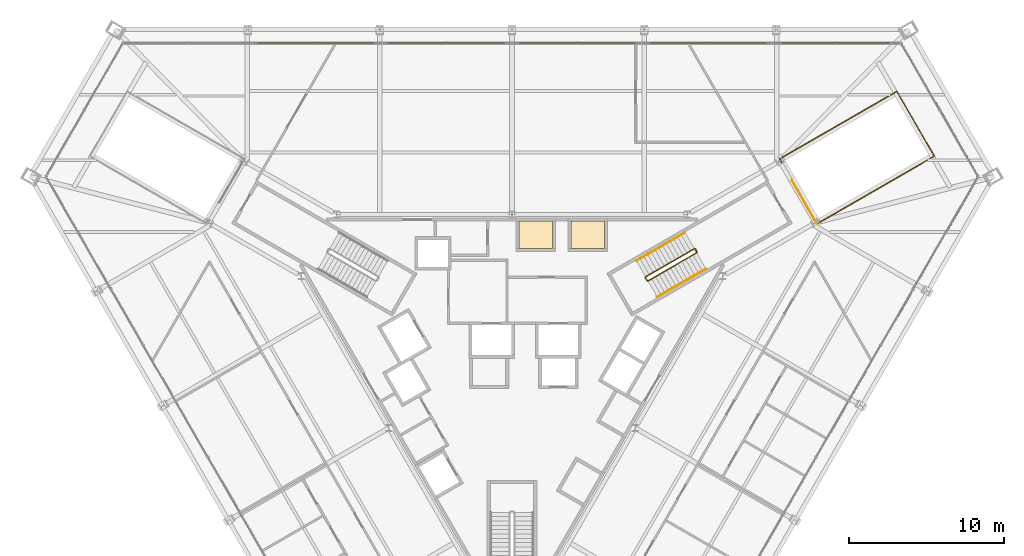
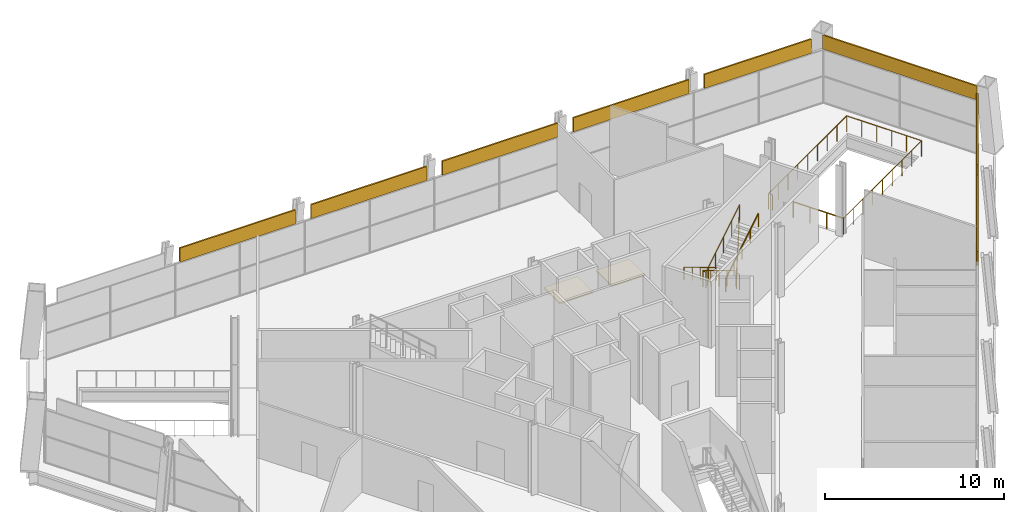
# One storey, part 18 of 18: 10 coverings, 5 railings.
"""IFC4 building model written with IfcOpenShell, lengths in metres."""

from ifc_helpers import new_model, si_unit, direction, frame, origin, origin_2d, place, context, subcontext, project, spatial, polyline, rectangle, circle, outline, extrude, material, layer, layer_set, type_object, element, save


model = new_model("IFC4")

# Units and contexts
model_context = context("Model", 3, precision=1e-05, world=origin(), true_north=direction((0.0, 1.0)))
body_context = subcontext(model_context, "Body", "Model", "MODEL_VIEW")
ifc_project = project(units=[si_unit("LENGTHUNIT", "METRE"), si_unit("AREAUNIT", "SQUARE_METRE"), si_unit("VOLUMEUNIT", "CUBIC_METRE"), si_unit("PLANEANGLEUNIT", "RADIAN"), si_unit("MASSUNIT", "GRAM", prefix="KILO")], contexts=[model_context])

# Site, building, storey
site_placement = place(None, origin())
site = spatial("IfcSite", under=ifc_project, at=site_placement, CompositionType="ELEMENT")
building_placement = place(site_placement, origin())
building = spatial("IfcBuilding", under=site, at=building_placement, Name="Verrane Prism Tower", CompositionType="ELEMENT")
storey_placement = place(building_placement, frame((0.0, 0.0, 32.0)))
storey = spatial("IfcBuildingStorey", under=building, at=storey_placement, Name="L05", CompositionType="ELEMENT", Elevation=32.0)

# Coverings
ifc_material_1 = material(Name="Limestone cladding", Category="masonry")
ifc_layer_1 = layer(ifc_material_1, 0.10009765625)
ifc_layer_set_1 = layer_set([ifc_layer_1], Name="FA-100 stone fascia panel")
covering_type_1 = type_object("IfcCoveringType", Name="FA-100 stone fascia panel", PredefinedType="CLADDING", material=ifc_layer_set_1)
covering_1_placement = place(storey_placement, frame((27.63818359375, 15.956787109375, 3.68994140625), z_axis=(0.0, 0.0, 1.0), x_axis=(-0.499999190728, 0.866025871017, 0.0)))
element("IfcCovering", 1, at=covering_1_placement, inside=storey, type_object=covering_type_1, Name="Stone fascia L05 1.1", PredefinedType="CLADDING", context=body_context, shape_type="SweptSolid", body=[
    extrude(rectangle(XDim=9.960693359375, YDim=0.10009765625, at=origin_2d()), origin(), (0.0, 0.0, 1.0), 0.949951171875),
])
covering_2_placement = place(storey_placement, frame((20.908203125, 20.27001953125, 3.68994140625), z_axis=(0.0, 0.0, 1.0), x_axis=(-1.0, 0.0, 0.0)))
element("IfcCovering", 2, at=covering_2_placement, inside=storey, type_object=covering_type_1, Name="Stone fascia L05 2.1", PredefinedType="CLADDING", context=body_context, shape_type="SweptSolid", body=[
    extrude(rectangle(XDim=6.93115234375, YDim=0.10009765625, at=origin_2d()), origin(), (0.0, 0.0, 1.0), 0.949951171875),
])
covering_3_placement = place(storey_placement, frame((12.707275390625, 20.27001953125, 3.68994140625), z_axis=(0.0, 0.0, 1.0), x_axis=(-1.0, 0.0, 0.0)))
element("IfcCovering", 3, at=covering_3_placement, inside=storey, type_object=covering_type_1, Name="Stone fascia L05 2.2", PredefinedType="CLADDING", context=body_context, shape_type="SweptSolid", body=[
    extrude(rectangle(XDim=7.470458984375, YDim=0.10009765625, at=origin_2d()), origin(), (0.0, 0.0, 1.0), 0.949951171875),
])
for number, where, z_axis, x_axis, name in (
    (4, (4.236083984375, 20.27001953125, 3.68994140625), (0.0, 0.0, 1.0), (-1.0, 0.0, 0.0), "Stone fascia L05 2.3"),
    (5, (-4.236083984375, 20.27001953125, 3.68994140625), (0.0, 0.0, 1.0), (-1.0, 0.0, 0.0), "Stone fascia L05 2.4"),
):
    element("IfcCovering", number, at=place(storey_placement, frame(where, z_axis=z_axis, x_axis=x_axis)), inside=storey, type_object=covering_type_1, Name=name, PredefinedType="CLADDING", context=body_context, shape_type="SweptSolid", body=[
        extrude(rectangle(XDim=7.47216796875, YDim=0.10009765625, at=origin_2d()), origin(), (0.0, 0.0, 1.0), 0.949951171875),
    ])
covering_4_placement = place(storey_placement, frame((-12.707275390625, 20.27001953125, 3.68994140625), z_axis=(0.0, 0.0, 1.0), x_axis=(-1.0, 0.0, 0.0)))
element("IfcCovering", 6, at=covering_4_placement, inside=storey, type_object=covering_type_1, Name="Stone fascia L05 2.5", PredefinedType="CLADDING", context=body_context, shape_type="SweptSolid", body=[
    extrude(rectangle(XDim=7.470458984375, YDim=0.10009765625, at=origin_2d()), origin(), (0.0, 0.0, 1.0), 0.949951171875),
])
covering_5_placement = place(storey_placement, frame((23.908203125, 0.870361328125, 3.68994140625), z_axis=(0.0, 0.0, 1.0), x_axis=(0.500000118955, 0.866025335106, 0.0)))
element("IfcCovering", 7, at=covering_5_placement, inside=storey, type_object=covering_type_1, Name="Stone fascia L05 6.5", PredefinedType="CLADDING", context=body_context, shape_type="SweptSolid", body=[
    extrude(rectangle(XDim=7.473876953125, YDim=0.10009765625, at=origin_2d()), origin(), (0.0, 0.0, 1.0), 0.949951171875),
])
covering_6_placement = place(storey_placement, frame((28.010498046875, 7.975341796875, 3.68994140625), z_axis=(0.0, 0.0, 1.0), x_axis=(0.500000118955, 0.866025335106, 0.0)))
element("IfcCovering", 8, at=covering_6_placement, inside=storey, type_object=covering_type_1, Name="Stone fascia L05 6.6", PredefinedType="CLADDING", context=body_context, shape_type="SweptSolid", body=[
    extrude(rectangle(XDim=6.934326171875, YDim=0.10009765625, at=origin_2d()), origin(), (0.0, 0.0, 1.0), 0.949951171875),
])

# Railings
ifc_material_2 = material(Name="Stainless steel and laminated glass", Category="steel")
railing_type_1 = type_object("IfcRailingType", Name="GR-1100 glass and steel guard", PredefinedType="GUARDRAIL", material=ifc_material_2)
railing_1_placement = place(storey_placement, frame((19.717041015625, 8.589111328125, 0.0)))
element("IfcRailing", 9, at=railing_1_placement, inside=storey, type_object=railing_type_1, Name="Guard EW1 L05 1", PredefinedType="GUARDRAIL", context=body_context, shape_type="SweptSolid", body=[
    extrude(circle(Radius=0.02392578125, at=origin_2d()), frame((0.0, 0.0, 1.076171875), z_axis=(0.866022959057, 0.500004234368, 0.0), x_axis=(-0.500004234368, 0.866022959057, 0.0)), (0.0, 0.0, 1.0), 8.75),
    extrude(circle(Radius=0.02392578125, at=origin_2d()), frame((7.57763671875, 4.375, 1.076171875), z_axis=(-0.499980071345, 0.866036909293, 0.0), x_axis=(-0.866036909293, -0.499980071345, 0.0)), (0.0, 0.0, 1.0), 4.840087890625),
    extrude(circle(Radius=0.02392578125, at=origin_2d()), frame((5.15771484375, 8.566650390625, 1.076171875), z_axis=(-0.866029934428, -0.499992152613, 0.0), x_axis=(0.499992152613, -0.866029934428, 0.0)), (0.0, 0.0, 1.0), 8.750244140625),
    extrude(circle(Radius=0.02392578125, at=origin_2d()), frame((-2.420166015625, 4.191650390625, 1.076171875), z_axis=(0.499919672301, -0.866071776036, 0.0), x_axis=(0.866071776036, 0.499919672301, 0.0)), (0.0, 0.0, 1.0), 0.25),
    extrude(circle(Radius=0.02099609375, at=origin_2d()), origin(), (0.0, 0.0, 1.0), 1.052001953125),
    extrude(circle(Radius=0.02099609375, at=origin_2d()), frame((0.947265625, 0.546875, 0.0)), (0.0, 0.0, 1.0), 1.052001953125),
    extrude(circle(Radius=0.02099609375, at=origin_2d()), frame((1.89453125, 1.09375, 0.0)), (0.0, 0.0, 1.0), 1.052001953125),
    extrude(circle(Radius=0.02099609375, at=origin_2d()), frame((2.841552734375, 1.640625, 0.0)), (0.0, 0.0, 1.0), 1.052001953125),
    extrude(circle(Radius=0.02099609375, at=origin_2d()), frame((3.788818359375, 2.1875, 0.0)), (0.0, 0.0, 1.0), 1.052001953125),
    extrude(circle(Radius=0.02099609375, at=origin_2d()), frame((4.736083984375, 2.734375, 0.0)), (0.0, 0.0, 1.0), 1.052001953125),
    extrude(circle(Radius=0.02099609375, at=origin_2d()), frame((5.68310546875, 3.28125, 0.0)), (0.0, 0.0, 1.0), 1.052001953125),
    extrude(circle(Radius=0.02099609375, at=origin_2d()), frame((6.63037109375, 3.828125, 0.0)), (0.0, 0.0, 1.0), 1.052001953125),
    extrude(circle(Radius=0.02099609375, at=origin_2d()), frame((7.57763671875, 4.375, 0.0)), (0.0, 0.0, 1.0), 1.052001953125),
    extrude(circle(Radius=0.02099609375, at=origin_2d()), frame((7.09375, 5.21337890625, 0.0)), (0.0, 0.0, 1.0), 1.052001953125),
    extrude(circle(Radius=0.02099609375, at=origin_2d()), frame((6.609619140625, 6.0517578125, 0.0)), (0.0, 0.0, 1.0), 1.052001953125),
    extrude(circle(Radius=0.02099609375, at=origin_2d()), frame((6.125732421875, 6.889892578125, 0.0)), (0.0, 0.0, 1.0), 1.052001953125),
    extrude(circle(Radius=0.02099609375, at=origin_2d()), frame((5.6416015625, 7.728271484375, 0.0)), (0.0, 0.0, 1.0), 1.052001953125),
    extrude(circle(Radius=0.02099609375, at=origin_2d()), frame((5.15771484375, 8.566650390625, 0.0)), (0.0, 0.0, 1.0), 1.052001953125),
    extrude(circle(Radius=0.02099609375, at=origin_2d()), frame((4.21044921875, 8.019775390625, 0.0)), (0.0, 0.0, 1.0), 1.052001953125),
    extrude(circle(Radius=0.02099609375, at=origin_2d()), frame((3.26318359375, 7.472900390625, 0.0)), (0.0, 0.0, 1.0), 1.052001953125),
    extrude(circle(Radius=0.02099609375, at=origin_2d()), frame((2.31591796875, 6.926025390625, 0.0)), (0.0, 0.0, 1.0), 1.052001953125),
    extrude(circle(Radius=0.02099609375, at=origin_2d()), frame((1.36865234375, 6.379150390625, 0.0)), (0.0, 0.0, 1.0), 1.052001953125),
    extrude(circle(Radius=0.02099609375, at=origin_2d()), frame((0.421630859375, 5.832275390625, 0.0)), (0.0, 0.0, 1.0), 1.052001953125),
    extrude(circle(Radius=0.02099609375, at=origin_2d()), frame((-0.525634765625, 5.285400390625, 0.0)), (0.0, 0.0, 1.0), 1.052001953125),
    extrude(circle(Radius=0.02099609375, at=origin_2d()), frame((-1.472900390625, 4.738525390625, 0.0)), (0.0, 0.0, 1.0), 1.052001953125),
    extrude(circle(Radius=0.02099609375, at=origin_2d()), frame((-2.420166015625, 4.191650390625, 0.0)), (0.0, 0.0, 1.0), 1.052001953125),
    extrude(circle(Radius=0.02099609375, at=origin_2d()), frame((-2.295166015625, 3.97509765625, 0.0)), (0.0, 0.0, 1.0), 1.052001953125),
])
railing_2_placement = place(storey_placement, frame((18.092041015625, 11.40380859375, 0.0)))
element("IfcRailing", 10, at=railing_2_placement, inside=storey, type_object=railing_type_1, Name="Guard EW1 L05 2", PredefinedType="GUARDRAIL", context=body_context, shape_type="SweptSolid", body=[
    extrude(circle(Radius=0.02392578125, at=origin_2d()), frame((0.0, 0.0, 1.076171875), z_axis=(0.499984717929, -0.866034226713, 0.0), x_axis=(0.866034226713, 0.499984717929, 0.0)), (0.0, 0.0, 1.0), 3.25),
    extrude(circle(Radius=0.02099609375, at=origin_2d()), origin(), (0.0, 0.0, 1.0), 1.052001953125),
    extrude(circle(Radius=0.02099609375, at=origin_2d()), frame((0.541748046875, -0.938232421875, 0.0)), (0.0, 0.0, 1.0), 1.052001953125),
    extrude(circle(Radius=0.02099609375, at=origin_2d()), frame((1.083251953125, -1.87646484375, 0.0)), (0.0, 0.0, 1.0), 1.052001953125),
    extrude(circle(Radius=0.02099609375, at=origin_2d()), frame((1.625, -2.814697265625, 0.0)), (0.0, 0.0, 1.0), 1.052001953125),
])

# Coverings
ifc_material_3 = material(Name="Concrete C40/50", Category="concrete")
ifc_layer_2 = layer(ifc_material_3, 0.10009765625)
ifc_layer_set_2 = layer_set([ifc_layer_2], Name="Lift pit floor 100 concrete C40/50")
covering_type_2 = type_object("IfcCoveringType", Name="Lift pit floor 100 concrete C40/50", PredefinedType="FLOORING", material=ifc_layer_set_2)
covering_7_placement = place(storey_placement, frame((0.0, 0.0, 2.89990234375)))
element("IfcCovering", 11, at=covering_7_placement, inside=storey, type_object=covering_type_2, Name="Bank A lift 1 pit floor", PredefinedType="FLOORING", context=body_context, shape_type="SweptSolid", body=[
    extrude(outline(polyline([(0.465087890625, 7.010009765625), (0.465087890625, 8.760009765625), (2.614990234375, 8.760009765625), (2.614990234375, 7.010009765625), (0.465087890625, 7.010009765625)])), origin(), (0.0, 0.0, 1.0), 0.10009765625),
])
covering_8_placement = place(storey_placement, frame((0.0, 0.0, 2.89990234375)))
element("IfcCovering", 12, at=covering_8_placement, inside=storey, type_object=covering_type_2, Name="Bank A lift 3 pit floor", PredefinedType="FLOORING", context=body_context, shape_type="SweptSolid", body=[
    extrude(outline(polyline([(3.824951171875, 7.010009765625), (3.824951171875, 8.760009765625), (5.97509765625, 8.760009765625), (5.97509765625, 7.010009765625), (3.824951171875, 7.010009765625)])), origin(), (0.0, 0.0, 1.0), 0.10009765625),
])

# Railings
ifc_material_4 = material(Name="Steel A36 rail and posts, no infill", Category="steel")
railing_type_2 = type_object("IfcRailingType", Name="Stair guard 1100 steel rail and posts", PredefinedType="GUARDRAIL", material=ifc_material_4)
railing_3_placement = place(storey_placement, frame((11.78955078125, 6.97998046875, 0.17138671875)))
element("IfcRailing", 13, at=railing_3_placement, inside=storey, type_object=railing_type_2, Name="Stair 1 guard", PredefinedType="GUARDRAIL", context=body_context, shape_type="SweptSolid", body=[
    extrude(circle(Radius=0.02392578125, at=origin_2d()), frame((0.0, 0.0, 1.076171875), z_axis=(-0.738592093898, -0.426440834883, 0.522139764025), x_axis=(0.500012742938, -0.866018046521, 0.0)), (0.0, 0.0, 1.0), 4.26806640625),
    extrude(circle(Radius=0.02392578125, at=origin_2d()), frame((-3.15234375, -1.820068359375, 3.3046875), z_axis=(-0.258736085224, -0.965948051503, 0.0), x_axis=(0.965948051503, -0.258736085224, 0.0)), (0.0, 0.0, 1.0), 0.07080078125),
    extrude(circle(Radius=0.02392578125, at=origin_2d()), frame((-3.170654296875, -1.888427734375, 3.3046875), z_axis=(0.500603037456, -0.865676959893, 0.0), x_axis=(0.865676959893, 0.500603037456, 0.0)), (0.0, 0.0, 1.0), 0.199951171875),
    extrude(circle(Radius=0.02392578125, at=origin_2d()), frame((-3.070556640625, -2.0615234375, 3.3046875), z_axis=(0.367081431602, -0.098677804194, 0.924939951312), x_axis=(0.259601060869, 0.965715946433, 0.0)), (0.0, 0.0, 1.0), 0.185546875),
    extrude(circle(Radius=0.02392578125, at=origin_2d()), frame((-3.00244140625, -2.079833984375, 3.47607421875), z_axis=(0.738592093898, 0.426440834883, 0.522139764025), x_axis=(-0.500012742938, 0.866018046521, 0.0)), (0.0, 0.0, 1.0), 4.26806640625),
    extrude(circle(Radius=0.02392578125, at=origin_2d()), frame((0.14990234375, -0.259765625, 5.70458984375), z_axis=(-0.016964052142, 0.050231878949, -0.998593500516), x_axis=(-0.947430582667, -0.3199613899, 0.0)), (0.0, 0.0, 1.0), 4.806884765625),
    extrude(circle(Radius=0.02392578125, at=origin_2d()), frame((0.068359375, -0.018310546875, 0.90478515625), z_axis=(0.499158860599, -0.866510491504, 0.0), x_axis=(0.866510491504, 0.499158860599, 0.0)), (0.0, 0.0, 1.0), 0.199951171875),
    extrude(circle(Radius=0.02099609375, at=origin_2d()), origin(), (0.0, 0.0, 1.0), 1.052001953125),
    extrude(circle(Radius=0.02099609375, at=origin_2d()), frame((-0.7880859375, -0.455078125, 0.55712890625)), (0.0, 0.0, 1.0), 1.052001953125),
    extrude(circle(Radius=0.02099609375, at=origin_2d()), frame((-1.576171875, -0.91015625, 1.1142578125)), (0.0, 0.0, 1.0), 1.052001953125),
    extrude(circle(Radius=0.02099609375, at=origin_2d()), frame((-2.3642578125, -1.364990234375, 1.67138671875)), (0.0, 0.0, 1.0), 1.052001953125),
    extrude(circle(Radius=0.02099609375, at=origin_2d()), frame((-3.15234375, -1.820068359375, 2.228515625)), (0.0, 0.0, 1.0), 1.052001953125),
    extrude(circle(Radius=0.02099609375, at=origin_2d()), frame((-3.170654296875, -1.888427734375, 2.228515625)), (0.0, 0.0, 1.0), 1.052001953125),
    extrude(circle(Radius=0.02099609375, at=origin_2d()), frame((-3.070556640625, -2.0615234375, 2.228515625)), (0.0, 0.0, 1.0), 1.052001953125),
    extrude(circle(Radius=0.02099609375, at=origin_2d()), frame((-3.00244140625, -2.079833984375, 2.400146484375)), (0.0, 0.0, 1.0), 1.052001953125),
    extrude(circle(Radius=0.02099609375, at=origin_2d()), frame((-2.21435546875, -1.624755859375, 2.957275390625)), (0.0, 0.0, 1.0), 1.052001953125),
    extrude(circle(Radius=0.02099609375, at=origin_2d()), frame((-1.42626953125, -1.169921875, 3.514404296875)), (0.0, 0.0, 1.0), 1.052001953125),
    extrude(circle(Radius=0.02099609375, at=origin_2d()), frame((-0.63818359375, -0.71484375, 4.071533203125)), (0.0, 0.0, 1.0), 1.052001953125),
    extrude(circle(Radius=0.02099609375, at=origin_2d()), frame((0.14990234375, -0.259765625, 4.628662109375)), (0.0, 0.0, 1.0), 1.052001953125),
    extrude(circle(Radius=0.02099609375, at=origin_2d()), frame((0.133544921875, -0.21142578125, 3.668701171875)), (0.0, 0.0, 1.0), 1.052001953125),
    extrude(circle(Radius=0.02099609375, at=origin_2d()), frame((0.1171875, -0.1630859375, 2.708740234375)), (0.0, 0.0, 1.0), 1.052001953125),
    extrude(circle(Radius=0.02099609375, at=origin_2d()), frame((0.10107421875, -0.114990234375, 1.74853515625)), (0.0, 0.0, 1.0), 1.052001953125),
    extrude(circle(Radius=0.02099609375, at=origin_2d()), frame((0.084716796875, -0.066650390625, 0.78857421875)), (0.0, 0.0, 1.0), 1.052001953125),
    extrude(circle(Radius=0.02099609375, at=origin_2d()), frame((0.068359375, -0.018310546875, -0.17138671875)), (0.0, 0.0, 1.0), 1.052001953125),
    extrude(circle(Radius=0.02099609375, at=origin_2d()), frame((0.168212890625, -0.191650390625, -0.17138671875)), (0.0, 0.0, 1.0), 1.052001953125),
])
ifc_material_5 = material(Name="Steel A36 tube", Category="steel")
railing_type_3 = type_object("IfcRailingType", Name="Stair handrail 900 steel tube", PredefinedType="HANDRAIL", material=ifc_material_5)
railing_4_placement = place(storey_placement, frame((11.189453125, 8.01904296875, 0.17138671875)))
element("IfcRailing", 14, at=railing_4_placement, inside=storey, type_object=railing_type_3, Name="Stair 1 handrail", PredefinedType="HANDRAIL", context=body_context, shape_type="SweptSolid", body=[
    extrude(circle(Radius=0.02392578125, at=origin_2d()), frame((0.0, 0.0, 0.8759765625), z_axis=(-0.738610110021, -0.426394033464, 0.52215250033), x_axis=(0.499962438169, -0.866047089031, 0.0)), (0.0, 0.0, 1.0), 4.267822265625),
    extrude(circle(Radius=0.02099609375, at=origin_2d()), origin(), (0.0, 0.0, 1.0), 0.851806640625),
    extrude(circle(Radius=0.02099609375, at=origin_2d()), frame((-0.7880859375, -0.455078125, 0.55712890625)), (0.0, 0.0, 1.0), 0.851806640625),
    extrude(circle(Radius=0.02099609375, at=origin_2d()), frame((-1.576171875, -0.909912109375, 1.1142578125)), (0.0, 0.0, 1.0), 0.851806640625),
    extrude(circle(Radius=0.02099609375, at=origin_2d()), frame((-2.3642578125, -1.36474609375, 1.67138671875)), (0.0, 0.0, 1.0), 0.851806640625),
    extrude(circle(Radius=0.02099609375, at=origin_2d()), frame((-3.15234375, -1.81982421875, 2.228515625)), (0.0, 0.0, 1.0), 0.851806640625),
])
railing_5_placement = place(storey_placement, frame((9.38720703125, 3.86083984375, 2.571533203125)))
element("IfcRailing", 15, at=railing_5_placement, inside=storey, type_object=railing_type_3, Name="Stair 1 handrail", PredefinedType="HANDRAIL", context=body_context, shape_type="SweptSolid", body=[
    extrude(circle(Radius=0.02392578125, at=origin_2d()), frame((0.0, 0.0, 0.8759765625), z_axis=(0.738592093898, 0.426440834883, 0.522139764025), x_axis=(-0.500012742938, 0.866018046521, 0.0)), (0.0, 0.0, 1.0), 4.26806640625),
    extrude(circle(Radius=0.02099609375, at=origin_2d()), origin(), (0.0, 0.0, 1.0), 0.851806640625),
    extrude(circle(Radius=0.02099609375, at=origin_2d()), frame((0.7880859375, 0.455078125, 0.55712890625)), (0.0, 0.0, 1.0), 0.851806640625),
    extrude(circle(Radius=0.02099609375, at=origin_2d()), frame((1.576171875, 0.91015625, 1.1142578125)), (0.0, 0.0, 1.0), 0.851806640625),
    extrude(circle(Radius=0.02099609375, at=origin_2d()), frame((2.3642578125, 1.364990234375, 1.67138671875)), (0.0, 0.0, 1.0), 0.851806640625),
    extrude(circle(Radius=0.02099609375, at=origin_2d()), frame((3.15234375, 1.820068359375, 2.228515625)), (0.0, 0.0, 1.0), 0.851806640625),
])

save(model, "model.ifc")
